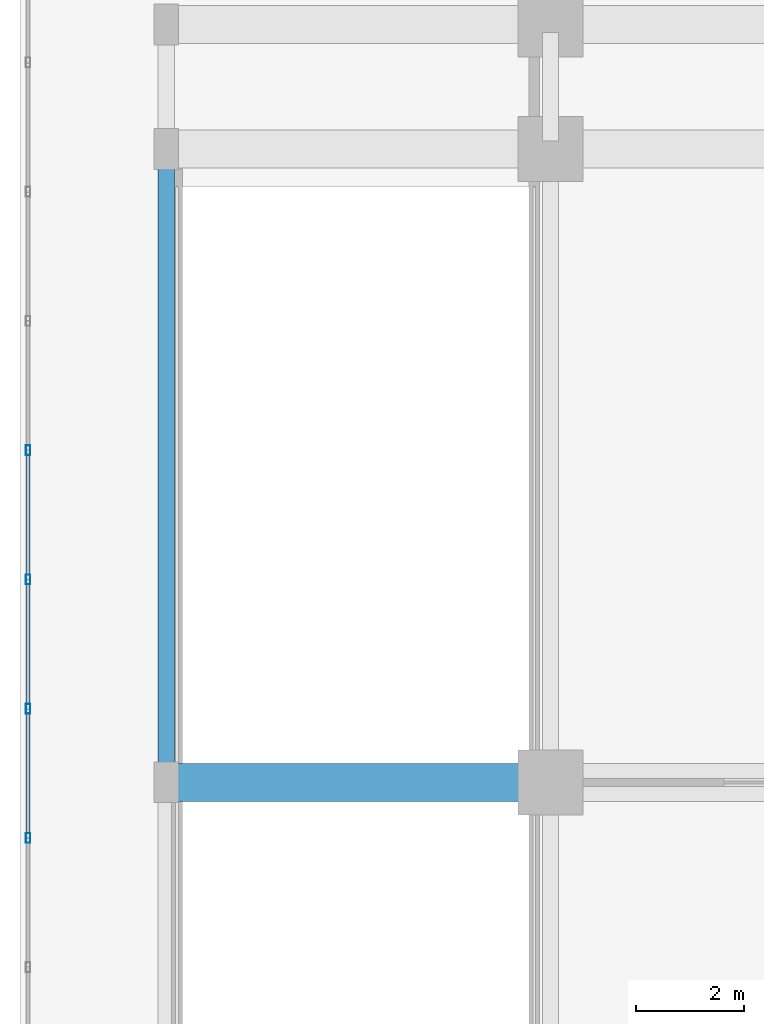
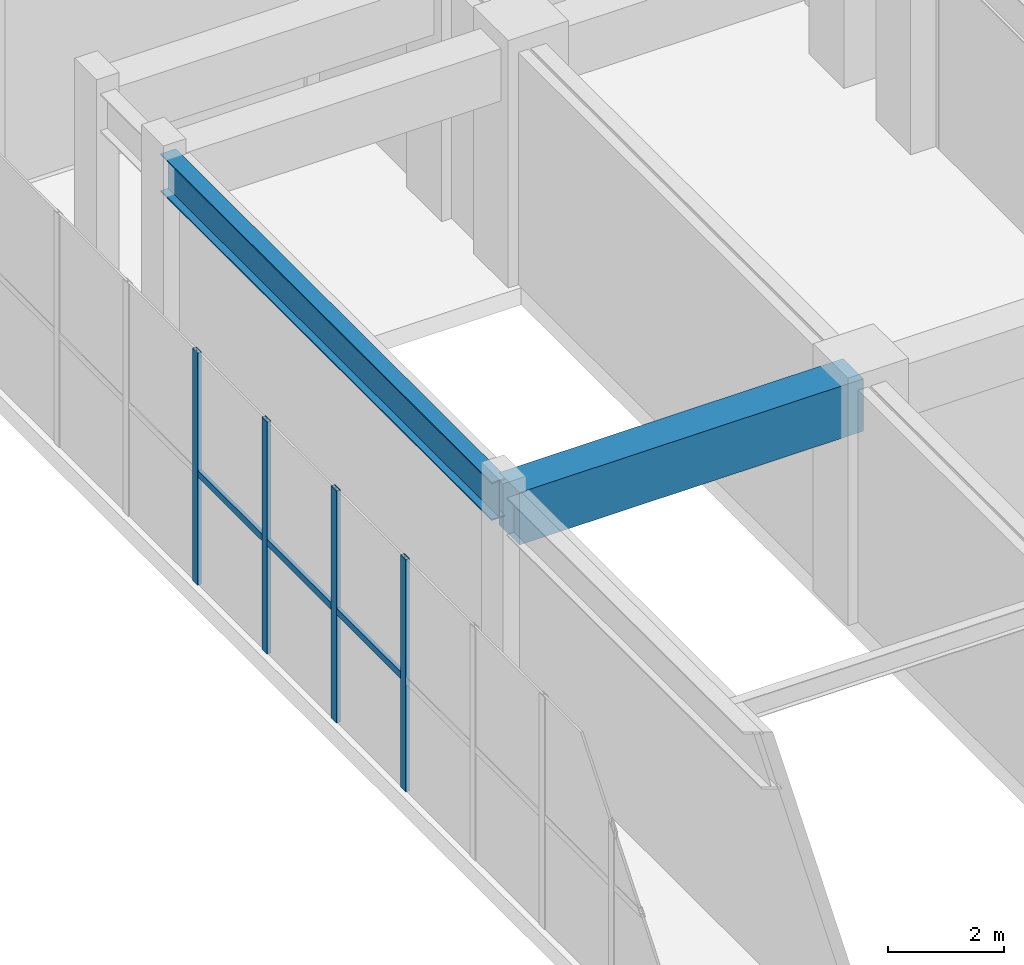
# One storey, part 14 of 40: 7 members, 2 beams, 1 element without a shape of its own.
"""IFC4 building model written with IfcOpenShell, lengths in metres."""

from ifc_helpers import new_model, si_unit, direction, frame, origin, origin_2d, place, context, subcontext, project, spatial, rectangle, hollow_rectangle, i_section, extrude, source, transform, mapped, material, material_profile, profile_set, type_object, element, aggregate, save


model = new_model("IFC4")

# Units and contexts
model_context = context("Model", 3, precision=1e-05, world=origin(), true_north=direction((0.0, 1.0)))
body_context = subcontext(model_context, "Body", "Model", "MODEL_VIEW")
ifc_project = project(units=[si_unit("LENGTHUNIT", "METRE"), si_unit("AREAUNIT", "SQUARE_METRE"), si_unit("VOLUMEUNIT", "CUBIC_METRE"), si_unit("PLANEANGLEUNIT", "RADIAN"), si_unit("MASSUNIT", "GRAM", prefix="KILO")], contexts=[model_context])

# Site, building, storey
site_placement = place(None, origin())
site = spatial("IfcSite", under=ifc_project, at=site_placement, CompositionType="ELEMENT")
building_placement = place(site_placement, origin())
building = spatial("IfcBuilding", under=site, at=building_placement, Name="Trelvane Seafront Commons", CompositionType="ELEMENT")
storey_placement = place(building_placement, origin())
storey = spatial("IfcBuildingStorey", under=building, at=storey_placement, Name="L00", CompositionType="ELEMENT", Elevation=0.0)

# Beams
ifc_material_1 = material(Name="Concrete C50/60", Category="concrete")
ifc_material_profile_1 = material_profile(ifc_material_1, rectangle(XDim=0.699951171875, YDim=1.10009765625, at=origin_2d()), Name="RC-700x1100")
ifc_profile_set_1 = profile_set([ifc_material_profile_1], Name="Concrete C50/60")
beam_type_1 = type_object("IfcBeamType", Name="STR-TBM-RC700x1100", PredefinedType="T_BEAM", material=ifc_profile_set_1)
shared_shape_1 = source(origin(), body_context, "Body", "SweptSolid", [
    extrude(rectangle(XDim=0.699951171875, YDim=1.10009765625, at=origin_2d()), origin(), (0.0, 0.0, 1.0), 6.83740234375),
])
beam_1_placement = place(storey_placement, frame((0.612548828125, 33.39990234375, 4.330078125), z_axis=(1.0, 0.0, 0.0), x_axis=(0.0, 1.0, 0.0)))
element("IfcBeam", 1, at=beam_1_placement, inside=storey, type_object=beam_type_1, Name="L00 Primary Girder G-13", PredefinedType="T_BEAM", context=body_context, shape_type="MappedRepresentation", body=[
    mapped(shared_shape_1, transform((0.0, 0.0, 0.0), x_axis=(1.0, 0.0, 0.0), y_axis=(0.0, 1.0, 0.0), z_axis=(0.0, 0.0, 1.0), scale=1.0)),
])
ifc_material_2 = material(Name="Steel SM355 (S355)", Category="steel")
ifc_material_profile_2 = material_profile(ifc_material_2, i_section(OverallWidth=0.300048828125, OverallDepth=0.800048828125, WebThickness=0.013916015625, FlangeThickness=0.02587890625, at=origin_2d()), Name="H-800x300x14x26")
ifc_profile_set_2 = profile_set([ifc_material_profile_2], Name="Steel SM355 (S355)")
beam_type_2 = type_object("IfcBeamType", Name="STR-BM-H800", PredefinedType="BEAM", material=ifc_profile_set_2)
shared_shape_2 = source(origin(), body_context, "Body", "SweptSolid", [
    extrude(i_section(OverallWidth=0.300048828125, OverallDepth=0.800048828125, WebThickness=0.013916015625, FlangeThickness=0.02587890625, at=origin_2d()), origin(), (0.0, 0.0, 1.0), 11.39990234375),
])
beam_2_placement = place(storey_placement, frame((0.5, 33.550048828125, 4.47998046875), z_axis=(0.0, 1.0, 0.0), x_axis=(-1.0, 0.0, 0.0)))
element("IfcBeam", 2, at=beam_2_placement, inside=storey, type_object=beam_type_2, Name="L00 Primary Girder G-33", PredefinedType="BEAM", context=body_context, shape_type="MappedRepresentation", body=[
    mapped(shared_shape_2, transform((0.0, 0.0, 0.0), x_axis=(1.0, 0.0, 0.0), y_axis=(0.0, 1.0, 0.0), z_axis=(0.0, 0.0, 1.0), scale=1.0)),
])

# Curtain wall, members
ifc_material_3 = material(Name="Anodised pale-silver aluminium", Category="aluminium")
curtain_wall_type = type_object("IfcCurtainWallType", Name="ARCH-CW4-SKYLOBBY", PredefinedType="NOTDEFINED", material=ifc_material_3)
curtain_wall_placement = place(storey_placement, origin())
curtain_wall = element("IfcCurtainWall", 3, at=curtain_wall_placement, inside=storey, type_object=curtain_wall_type, Name="CW-L00-0006", PredefinedType="NOTDEFINED")
ifc_material_profile_3 = material_profile(ifc_material_3, hollow_rectangle(XDim=0.080078125, YDim=0.179931640625, WallThickness=0.00439453125, at=origin_2d()), Name="MULL-80x180x4.5")
ifc_profile_set_3 = profile_set([ifc_material_profile_3], Name="Anodised pale-silver aluminium")
member_type_1 = type_object("IfcMemberType", Name="ARCH-CW-MULL-180", PredefinedType="MULLION", material=ifc_profile_set_3)
shared_shape_3 = source(origin(), body_context, "Body", "SweptSolid", [
    extrude(hollow_rectangle(XDim=0.080078125, YDim=0.179931640625, WallThickness=0.00439453125, at=origin_2d()), origin(), (0.0, 0.0, 1.0), 4.8798828125),
])
member_1_placement = place(storey_placement, frame((-2.050048828125, 32.3740234375, 0.0), z_axis=(0.0, 0.0, 1.0), x_axis=(1.0, 0.0, 0.0)))
member_1 = element("IfcMember", 4, at=member_1_placement, type_object=member_type_1, Name="CW-L00-0006-M12", PredefinedType="MULLION", context=body_context, shape_type="MappedRepresentation", body=[
    mapped(shared_shape_3, transform((0.0, 0.0, 0.0), x_axis=(1.0, 0.0, 0.0), y_axis=(0.0, 1.0, 0.0), z_axis=(0.0, 0.0, 1.0), scale=1.0)),
])
member_2_placement = place(storey_placement, frame((-2.050048828125, 34.760986328125, 0.0), z_axis=(0.0, 0.0, 1.0), x_axis=(1.0, 0.0, 0.0)))
member_2 = element("IfcMember", 5, at=member_2_placement, type_object=member_type_1, Name="CW-L00-0006-M13", PredefinedType="MULLION", context=body_context, shape_type="MappedRepresentation", body=[
    mapped(shared_shape_3, transform((0.0, 0.0, 0.0), x_axis=(1.0, 0.0, 0.0), y_axis=(0.0, 1.0, 0.0), z_axis=(0.0, 0.0, 1.0), scale=1.0)),
])
member_3_placement = place(storey_placement, frame((-2.050048828125, 37.14794921875, 0.0), z_axis=(0.0, 0.0, 1.0), x_axis=(1.0, 0.0, 0.0)))
member_3 = element("IfcMember", 6, at=member_3_placement, type_object=member_type_1, Name="CW-L00-0006-M14", PredefinedType="MULLION", context=body_context, shape_type="MappedRepresentation", body=[
    mapped(shared_shape_3, transform((0.0, 0.0, 0.0), x_axis=(1.0, 0.0, 0.0), y_axis=(0.0, 1.0, 0.0), z_axis=(0.0, 0.0, 1.0), scale=1.0)),
])
member_4_placement = place(storey_placement, frame((-2.050048828125, 39.534912109375, 0.0), z_axis=(0.0, 0.0, 1.0), x_axis=(1.0, 0.0, 0.0)))
member_4 = element("IfcMember", 7, at=member_4_placement, type_object=member_type_1, Name="CW-L00-0006-M15", PredefinedType="MULLION", context=body_context, shape_type="MappedRepresentation", body=[
    mapped(shared_shape_3, transform((0.0, 0.0, 0.0), x_axis=(1.0, 0.0, 0.0), y_axis=(0.0, 1.0, 0.0), z_axis=(0.0, 0.0, 1.0), scale=1.0)),
])
ifc_material_profile_4 = material_profile(ifc_material_3, hollow_rectangle(XDim=0.074951171875, YDim=0.139892578125, WallThickness=0.00390625, at=origin_2d()), Name="TRAN-75x140x4")
ifc_profile_set_4 = profile_set([ifc_material_profile_4], Name="Anodised pale-silver aluminium")
member_type_2 = type_object("IfcMemberType", Name="ARCH-CW-TRAN-140", PredefinedType="USERDEFINED", material=ifc_profile_set_4)
shared_shape_4 = source(origin(), body_context, "Body", "SweptSolid", [
    extrude(hollow_rectangle(XDim=0.074951171875, YDim=0.139892578125, WallThickness=0.00390625, at=origin_2d()), origin(), (0.0, 0.0, 1.0), 2.363037109375),
])
member_5_placement = place(storey_placement, frame((-2.050048828125, 32.385986328125, 2.342041015625), z_axis=(0.0, 1.0, 0.0), x_axis=(-1.0, 0.0, 0.0)))
member_5 = element("IfcMember", 8, at=member_5_placement, type_object=member_type_2, Name="CW-L00-0006-T12", ObjectType="TRANSOM", PredefinedType="USERDEFINED", context=body_context, shape_type="MappedRepresentation", body=[
    mapped(shared_shape_4, transform((0.0, 0.0, 0.0), x_axis=(1.0, 0.0, 0.0), y_axis=(0.0, 1.0, 0.0), z_axis=(0.0, 0.0, 1.0), scale=1.0)),
])
member_6_placement = place(storey_placement, frame((-2.050048828125, 34.77294921875, 2.342041015625), z_axis=(0.0, 1.0, 0.0), x_axis=(-1.0, 0.0, 0.0)))
member_6 = element("IfcMember", 9, at=member_6_placement, type_object=member_type_2, Name="CW-L00-0006-T13", ObjectType="TRANSOM", PredefinedType="USERDEFINED", context=body_context, shape_type="MappedRepresentation", body=[
    mapped(shared_shape_4, transform((0.0, 0.0, 0.0), x_axis=(1.0, 0.0, 0.0), y_axis=(0.0, 1.0, 0.0), z_axis=(0.0, 0.0, 1.0), scale=1.0)),
])
member_7_placement = place(storey_placement, frame((-2.050048828125, 37.159912109375, 2.342041015625), z_axis=(0.0, 1.0, 0.0), x_axis=(-1.0, 0.0, 0.0)))
member_7 = element("IfcMember", 10, at=member_7_placement, type_object=member_type_2, Name="CW-L00-0006-T14", ObjectType="TRANSOM", PredefinedType="USERDEFINED", context=body_context, shape_type="MappedRepresentation", body=[
    mapped(shared_shape_4, transform((0.0, 0.0, 0.0), x_axis=(1.0, 0.0, 0.0), y_axis=(0.0, 1.0, 0.0), z_axis=(0.0, 0.0, 1.0), scale=1.0)),
])
aggregate(curtain_wall, [member_1, member_2, member_3, member_4, member_5, member_6, member_7])

save(model, "model.ifc")
